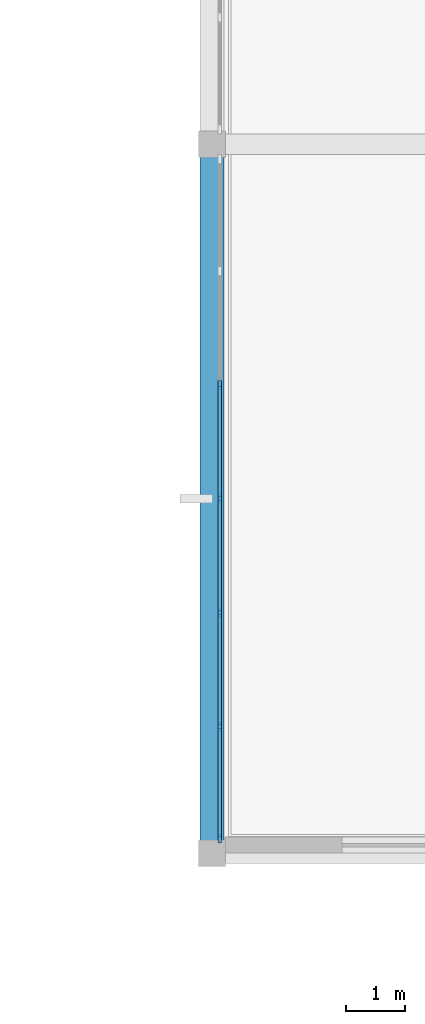
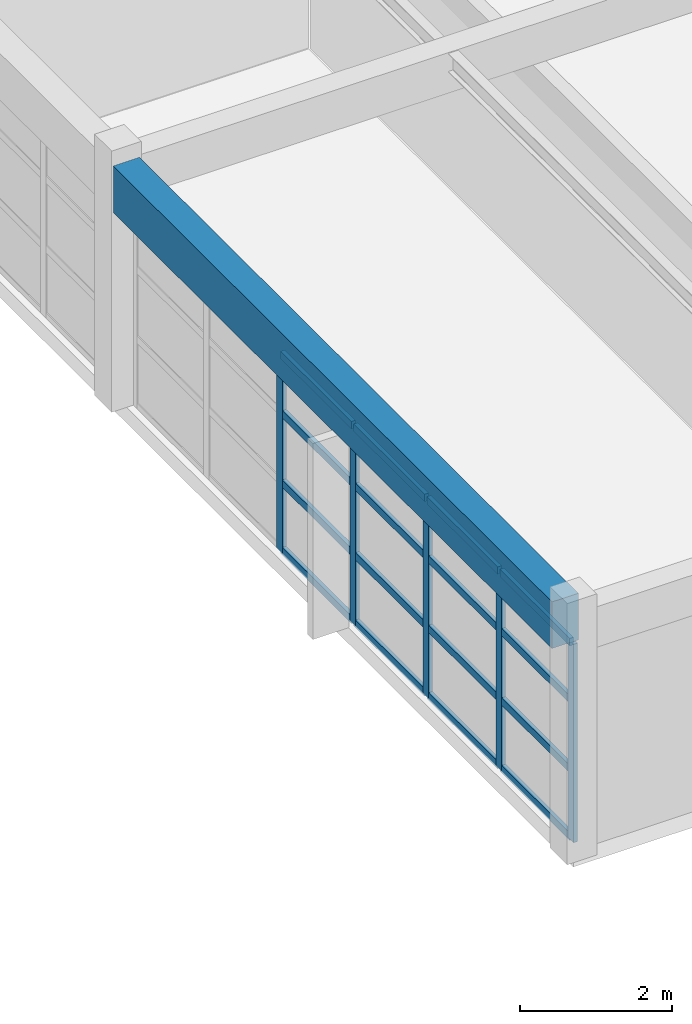
# One storey, part 2 of 21: 21 members, 1 beam, 1 element without a shape of its own.
"""IFC4 building model written with IfcOpenShell, lengths in metres."""

from ifc_helpers import new_model, si_unit, direction, frame, origin, origin_2d, place, context, subcontext, project, spatial, rectangle, extrude, material, layer, layer_set, material_profile, profile_set, type_object, element, aggregate, save


model = new_model("IFC4")

# Units and contexts
model_context = context("Model", 3, precision=1e-05, world=origin(), true_north=direction((0.0, 1.0)))
body_context = subcontext(model_context, "Body", "Model", "MODEL_VIEW")
ifc_project = project(units=[si_unit("LENGTHUNIT", "METRE"), si_unit("AREAUNIT", "SQUARE_METRE"), si_unit("VOLUMEUNIT", "CUBIC_METRE"), si_unit("PLANEANGLEUNIT", "RADIAN"), si_unit("MASSUNIT", "GRAM", prefix="KILO")], contexts=[model_context])

# Site, building, storey
site_placement = place(None, origin())
site = spatial("IfcSite", under=ifc_project, at=site_placement, CompositionType="ELEMENT")
building_placement = place(site_placement, origin())
building = spatial("IfcBuilding", under=site, at=building_placement, Name="Kivolera Central Railway Station", CompositionType="ELEMENT")
storey_placement = place(building_placement, frame((0.0, 0.0, 22.800048828125)))
storey = spatial("IfcBuildingStorey", under=building, at=storey_placement, Name="L05", CompositionType="ELEMENT", Elevation=22.800048828125)

# Beam
ifc_material_1 = material(Name="Concrete C40/50", Category="concrete")
ifc_material_profile_1 = material_profile(ifc_material_1, rectangle(XDim=0.39990234375, YDim=0.75, at=origin_2d()), Name="RC 400x750")
ifc_profile_set_1 = profile_set([ifc_material_profile_1], Name="Concrete C40/50")
beam_type = type_object("IfcBeamType", Name="BM-RC-400x750", PredefinedType="BEAM", material=ifc_profile_set_1)
beam_placement = place(storey_placement, frame((178.0, 78.217041015625, 3.574951171875), z_axis=(0.0, 1.0, 0.0), x_axis=(-1.0, 0.0, 0.0)))
element("IfcBeam", 1, at=beam_placement, inside=storey, type_object=beam_type, Name="L05 Wing Y-Beam 18:G-H", PredefinedType="BEAM", context=body_context, shape_type="SweptSolid", body=[
    extrude(rectangle(XDim=0.39990234375, YDim=0.75, at=origin_2d()), origin(), (0.0, 0.0, 1.0), 11.56591796875),
])

# Curtain wall, members
ifc_material_2 = material(Name="Anodised aluminium", Category="aluminium")
ifc_layer = layer(ifc_material_2, 0.179931640625, Name="Anodised aluminium")
ifc_layer_set = layer_set([ifc_layer], Name="Anodised aluminium")
curtain_wall_type = type_object("IfcCurtainWallType", Name="CW-SYS-35", PredefinedType="NOTDEFINED", material=ifc_layer_set)
curtain_wall_placement = place(storey_placement, origin())
curtain_wall = element("IfcCurtainWall", 2, at=curtain_wall_placement, inside=storey, type_object=curtain_wall_type, Name="L05 Curtain Wall CW-L05-CRTE-G", PredefinedType="NOTDEFINED")
ifc_material_profile_2 = material_profile(ifc_material_2, rectangle(XDim=0.06005859375, YDim=0.14990234375, at=origin_2d()), Name="ALU MULL 60x150")
ifc_profile_set_2 = profile_set([ifc_material_profile_2], Name="Anodised aluminium")
member_type_1 = type_object("IfcMemberType", Name="CWM-MUL-2", PredefinedType="MULLION", material=ifc_profile_set_2)
member_1_placement = place(storey_placement, frame((178.135009765625, 78.25, -0.005126953125), z_axis=(0.0, 0.0, 1.0), x_axis=(-1.0, 0.0, 0.0)))
member_1 = element("IfcMember", 3, at=member_1_placement, type_object=member_type_1, Name="CW-35 mullion 1", PredefinedType="MULLION", context=body_context, shape_type="SweptSolid", body=[
    extrude(rectangle(XDim=0.06005859375, YDim=0.14990234375, at=origin_2d()), origin(), (0.0, 0.0, 1.0), 3.193115234375),
])
member_2_placement = place(storey_placement, frame((178.135009765625, 80.146728515625, -0.005126953125), z_axis=(0.0, 0.0, 1.0), x_axis=(-1.0, 0.0, 0.0)))
member_2 = element("IfcMember", 4, at=member_2_placement, type_object=member_type_1, Name="CW-35 mullion 2", PredefinedType="MULLION", context=body_context, shape_type="SweptSolid", body=[
    extrude(rectangle(XDim=0.06005859375, YDim=0.14990234375, at=origin_2d()), origin(), (0.0, 0.0, 1.0), 3.193115234375),
])
member_3_placement = place(storey_placement, frame((178.135009765625, 82.0732421875, -0.005126953125), z_axis=(0.0, 0.0, 1.0), x_axis=(-1.0, 0.0, 0.0)))
member_3 = element("IfcMember", 5, at=member_3_placement, type_object=member_type_1, Name="CW-35 mullion 3", PredefinedType="MULLION", context=body_context, shape_type="SweptSolid", body=[
    extrude(rectangle(XDim=0.06005859375, YDim=0.14990234375, at=origin_2d()), origin(), (0.0, 0.0, 1.0), 3.193115234375),
])
member_4_placement = place(storey_placement, frame((178.135009765625, 84.0, -0.005126953125), z_axis=(0.0, 0.0, 1.0), x_axis=(-1.0, 0.0, 0.0)))
member_4 = element("IfcMember", 6, at=member_4_placement, type_object=member_type_1, Name="CW-35 mullion 4", PredefinedType="MULLION", context=body_context, shape_type="SweptSolid", body=[
    extrude(rectangle(XDim=0.06005859375, YDim=0.14990234375, at=origin_2d()), origin(), (0.0, 0.0, 1.0), 3.193115234375),
])
member_5_placement = place(storey_placement, frame((178.135009765625, 85.9267578125, -0.005126953125), z_axis=(0.0, 0.0, 1.0), x_axis=(-1.0, 0.0, 0.0)))
member_5 = element("IfcMember", 7, at=member_5_placement, type_object=member_type_1, Name="CW-35 mullion 5", PredefinedType="MULLION", context=body_context, shape_type="SweptSolid", body=[
    extrude(rectangle(XDim=0.06005859375, YDim=0.14990234375, at=origin_2d()), origin(), (0.0, 0.0, 1.0), 3.193115234375),
])
ifc_material_profile_3 = material_profile(ifc_material_2, rectangle(XDim=0.06005859375, YDim=0.1201171875, at=origin_2d()), Name="ALU TRAN 60x120")
ifc_profile_set_3 = profile_set([ifc_material_profile_3], Name="Anodised aluminium")
member_type_2 = type_object("IfcMemberType", Name="CWM-TRN-2", PredefinedType="USERDEFINED", material=ifc_profile_set_3)
member_6_placement = place(storey_placement, frame((178.135009765625, 78.280029296875, 0.030029296875), z_axis=(0.0, 1.0, 0.0), x_axis=(-1.0, 0.0, 0.0)))
member_6 = element("IfcMember", 8, at=member_6_placement, type_object=member_type_2, Name="CW-35 transom 1.1", ObjectType="TRANSOM", PredefinedType="USERDEFINED", context=body_context, shape_type="SweptSolid", body=[
    extrude(rectangle(XDim=0.06005859375, YDim=0.1201171875, at=origin_2d()), origin(), (0.0, 0.0, 1.0), 1.836669921875),
])
member_7_placement = place(storey_placement, frame((178.135009765625, 78.280029296875, 1.11572265625), z_axis=(0.0, 1.0, 0.0), x_axis=(-1.0, 0.0, 0.0)))
member_7 = element("IfcMember", 9, at=member_7_placement, type_object=member_type_2, Name="CW-35 transom 1.2", ObjectType="TRANSOM", PredefinedType="USERDEFINED", context=body_context, shape_type="SweptSolid", body=[
    extrude(rectangle(XDim=0.06005859375, YDim=0.1201171875, at=origin_2d()), origin(), (0.0, 0.0, 1.0), 1.836669921875),
])
member_8_placement = place(storey_placement, frame((178.135009765625, 78.280029296875, 2.2314453125), z_axis=(0.0, 1.0, 0.0), x_axis=(-1.0, 0.0, 0.0)))
member_8 = element("IfcMember", 10, at=member_8_placement, type_object=member_type_2, Name="CW-35 transom 1.3", ObjectType="TRANSOM", PredefinedType="USERDEFINED", context=body_context, shape_type="SweptSolid", body=[
    extrude(rectangle(XDim=0.06005859375, YDim=0.1201171875, at=origin_2d()), origin(), (0.0, 0.0, 1.0), 1.836669921875),
])
member_9_placement = place(storey_placement, frame((178.135009765625, 78.280029296875, 3.157958984375), z_axis=(0.0, 1.0, 0.0), x_axis=(-1.0, 0.0, 0.0)))
member_9 = element("IfcMember", 11, at=member_9_placement, type_object=member_type_2, Name="CW-35 transom 1.4", ObjectType="TRANSOM", PredefinedType="USERDEFINED", context=body_context, shape_type="SweptSolid", body=[
    extrude(rectangle(XDim=0.06005859375, YDim=0.1201171875, at=origin_2d()), origin(), (0.0, 0.0, 1.0), 1.836669921875),
])
member_10_placement = place(storey_placement, frame((178.135009765625, 80.1767578125, 0.030029296875), z_axis=(0.0, 1.0, 0.0), x_axis=(-1.0, 0.0, 0.0)))
member_10 = element("IfcMember", 12, at=member_10_placement, type_object=member_type_2, Name="CW-35 transom 2.1", ObjectType="TRANSOM", PredefinedType="USERDEFINED", context=body_context, shape_type="SweptSolid", body=[
    extrude(rectangle(XDim=0.06005859375, YDim=0.1201171875, at=origin_2d()), origin(), (0.0, 0.0, 1.0), 1.866455078125),
])
member_11_placement = place(storey_placement, frame((178.135009765625, 80.1767578125, 1.11572265625), z_axis=(0.0, 1.0, 0.0), x_axis=(-1.0, 0.0, 0.0)))
member_11 = element("IfcMember", 13, at=member_11_placement, type_object=member_type_2, Name="CW-35 transom 2.2", ObjectType="TRANSOM", PredefinedType="USERDEFINED", context=body_context, shape_type="SweptSolid", body=[
    extrude(rectangle(XDim=0.06005859375, YDim=0.1201171875, at=origin_2d()), origin(), (0.0, 0.0, 1.0), 1.866455078125),
])
member_12_placement = place(storey_placement, frame((178.135009765625, 80.1767578125, 2.2314453125), z_axis=(0.0, 1.0, 0.0), x_axis=(-1.0, 0.0, 0.0)))
member_12 = element("IfcMember", 14, at=member_12_placement, type_object=member_type_2, Name="CW-35 transom 2.3", ObjectType="TRANSOM", PredefinedType="USERDEFINED", context=body_context, shape_type="SweptSolid", body=[
    extrude(rectangle(XDim=0.06005859375, YDim=0.1201171875, at=origin_2d()), origin(), (0.0, 0.0, 1.0), 1.866455078125),
])
member_13_placement = place(storey_placement, frame((178.135009765625, 80.1767578125, 3.157958984375), z_axis=(0.0, 1.0, 0.0), x_axis=(-1.0, 0.0, 0.0)))
member_13 = element("IfcMember", 15, at=member_13_placement, type_object=member_type_2, Name="CW-35 transom 2.4", ObjectType="TRANSOM", PredefinedType="USERDEFINED", context=body_context, shape_type="SweptSolid", body=[
    extrude(rectangle(XDim=0.06005859375, YDim=0.1201171875, at=origin_2d()), origin(), (0.0, 0.0, 1.0), 1.866455078125),
])
member_14_placement = place(storey_placement, frame((178.135009765625, 82.103271484375, 0.030029296875), z_axis=(0.0, 1.0, 0.0), x_axis=(-1.0, 0.0, 0.0)))
member_14 = element("IfcMember", 16, at=member_14_placement, type_object=member_type_2, Name="CW-35 transom 3.1", ObjectType="TRANSOM", PredefinedType="USERDEFINED", context=body_context, shape_type="SweptSolid", body=[
    extrude(rectangle(XDim=0.06005859375, YDim=0.1201171875, at=origin_2d()), origin(), (0.0, 0.0, 1.0), 1.86669921875),
])
member_15_placement = place(storey_placement, frame((178.135009765625, 82.103271484375, 1.11572265625), z_axis=(0.0, 1.0, 0.0), x_axis=(-1.0, 0.0, 0.0)))
member_15 = element("IfcMember", 17, at=member_15_placement, type_object=member_type_2, Name="CW-35 transom 3.2", ObjectType="TRANSOM", PredefinedType="USERDEFINED", context=body_context, shape_type="SweptSolid", body=[
    extrude(rectangle(XDim=0.06005859375, YDim=0.1201171875, at=origin_2d()), origin(), (0.0, 0.0, 1.0), 1.86669921875),
])
member_16_placement = place(storey_placement, frame((178.135009765625, 82.103271484375, 2.2314453125), z_axis=(0.0, 1.0, 0.0), x_axis=(-1.0, 0.0, 0.0)))
member_16 = element("IfcMember", 18, at=member_16_placement, type_object=member_type_2, Name="CW-35 transom 3.3", ObjectType="TRANSOM", PredefinedType="USERDEFINED", context=body_context, shape_type="SweptSolid", body=[
    extrude(rectangle(XDim=0.06005859375, YDim=0.1201171875, at=origin_2d()), origin(), (0.0, 0.0, 1.0), 1.86669921875),
])
member_17_placement = place(storey_placement, frame((178.135009765625, 82.103271484375, 3.157958984375), z_axis=(0.0, 1.0, 0.0), x_axis=(-1.0, 0.0, 0.0)))
member_17 = element("IfcMember", 19, at=member_17_placement, type_object=member_type_2, Name="CW-35 transom 3.4", ObjectType="TRANSOM", PredefinedType="USERDEFINED", context=body_context, shape_type="SweptSolid", body=[
    extrude(rectangle(XDim=0.06005859375, YDim=0.1201171875, at=origin_2d()), origin(), (0.0, 0.0, 1.0), 1.86669921875),
])
member_18_placement = place(storey_placement, frame((178.135009765625, 84.030029296875, 0.030029296875), z_axis=(0.0, 1.0, 0.0), x_axis=(-1.0, 0.0, 0.0)))
member_18 = element("IfcMember", 20, at=member_18_placement, type_object=member_type_2, Name="CW-35 transom 4.1", ObjectType="TRANSOM", PredefinedType="USERDEFINED", context=body_context, shape_type="SweptSolid", body=[
    extrude(rectangle(XDim=0.06005859375, YDim=0.1201171875, at=origin_2d()), origin(), (0.0, 0.0, 1.0), 1.86669921875),
])
member_19_placement = place(storey_placement, frame((178.135009765625, 84.030029296875, 1.11572265625), z_axis=(0.0, 1.0, 0.0), x_axis=(-1.0, 0.0, 0.0)))
member_19 = element("IfcMember", 21, at=member_19_placement, type_object=member_type_2, Name="CW-35 transom 4.2", ObjectType="TRANSOM", PredefinedType="USERDEFINED", context=body_context, shape_type="SweptSolid", body=[
    extrude(rectangle(XDim=0.06005859375, YDim=0.1201171875, at=origin_2d()), origin(), (0.0, 0.0, 1.0), 1.86669921875),
])
member_20_placement = place(storey_placement, frame((178.135009765625, 84.030029296875, 2.2314453125), z_axis=(0.0, 1.0, 0.0), x_axis=(-1.0, 0.0, 0.0)))
member_20 = element("IfcMember", 22, at=member_20_placement, type_object=member_type_2, Name="CW-35 transom 4.3", ObjectType="TRANSOM", PredefinedType="USERDEFINED", context=body_context, shape_type="SweptSolid", body=[
    extrude(rectangle(XDim=0.06005859375, YDim=0.1201171875, at=origin_2d()), origin(), (0.0, 0.0, 1.0), 1.86669921875),
])
member_21_placement = place(storey_placement, frame((178.135009765625, 84.030029296875, 3.157958984375), z_axis=(0.0, 1.0, 0.0), x_axis=(-1.0, 0.0, 0.0)))
member_21 = element("IfcMember", 23, at=member_21_placement, type_object=member_type_2, Name="CW-35 transom 4.4", ObjectType="TRANSOM", PredefinedType="USERDEFINED", context=body_context, shape_type="SweptSolid", body=[
    extrude(rectangle(XDim=0.06005859375, YDim=0.1201171875, at=origin_2d()), origin(), (0.0, 0.0, 1.0), 1.86669921875),
])
aggregate(curtain_wall, [member_1, member_2, member_3, member_4, member_5, member_6, member_7, member_8, member_9, member_10, member_11, member_12, member_13, member_14, member_15, member_16, member_17, member_18, member_19, member_20, member_21])

save(model, "model.ifc")
